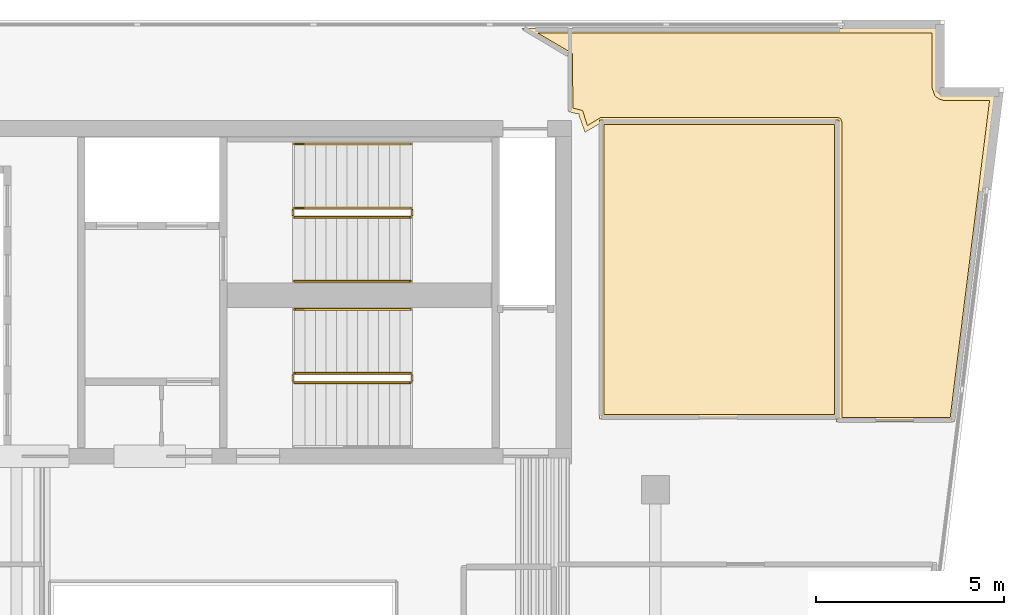
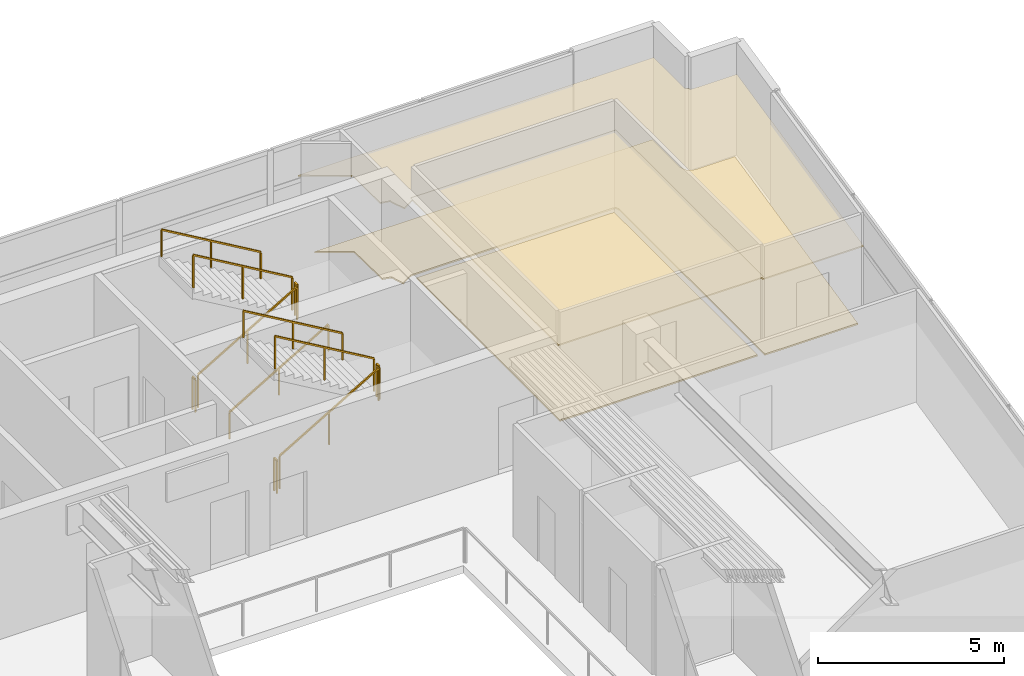
# One storey, part 7 of 7: 11 railings, 4 coverings.
"""IFC4 building model written with IfcOpenShell, lengths in metres."""

from ifc_helpers import new_model, si_unit, direction, frame, origin, origin_2d, place, context, subcontext, project, spatial, polyline, rectangle, outline, extrude, material, layer, layer_set, type_object, element, save


model = new_model("IFC4")

# Units and contexts
model_context = context("Model", 3, precision=1e-05, world=origin(), true_north=direction((0.0, 1.0)))
body_context = subcontext(model_context, "Body", "Model", "MODEL_VIEW")
ifc_project = project(units=[si_unit("LENGTHUNIT", "METRE"), si_unit("AREAUNIT", "SQUARE_METRE"), si_unit("VOLUMEUNIT", "CUBIC_METRE"), si_unit("PLANEANGLEUNIT", "RADIAN"), si_unit("MASSUNIT", "GRAM", prefix="KILO")], contexts=[model_context])

# Site, building, storey
site_placement = place(None, origin())
site = spatial("IfcSite", under=ifc_project, at=site_placement, CompositionType="ELEMENT")
building_placement = place(site_placement, origin())
building = spatial("IfcBuilding", under=site, at=building_placement, Name="Caeloran Harvest Quay", CompositionType="ELEMENT")
storey_placement = place(building_placement, frame((0.0, 0.0, 264.60009765625)))
storey = spatial("IfcBuildingStorey", under=building, at=storey_placement, Name="L63", CompositionType="ELEMENT", Elevation=264.60009765625)

# Coverings
ifc_material_1 = material(Name="Perforated Mineral-Fibre Acoustic Ceiling Tile", Category="ceiling")
ifc_layer_1 = layer(ifc_material_1, 0.0400390625, Name="Perforated Mineral-Fibre Acoustic Ceiling Tile")
ifc_layer_set_1 = layer_set([ifc_layer_1], Name="Perforated Mineral-Fibre Acoustic Ceiling Tile")
covering_type_1 = type_object("IfcCoveringType", Name="COV-CEILING-ACOUSTIC", PredefinedType="CEILING", material=ifc_layer_set_1)
covering_1_placement = place(storey_placement, frame((0.0, 0.0, 2.599853515625)))
element("IfcCovering", 1, at=covering_1_placement, inside=storey, type_object=covering_type_1, Name="L63 Bioinformatics and Crop Phenotyping Laboratory Acoustic Ceiling", PredefinedType="CEILING", context=body_context, shape_type="SweptSolid", body=[
    extrude(outline(polyline([(30.389892578125, 40.840087890625), (30.389892578125, 32.8798828125), (24.010009765625, 32.8798828125), (24.010009765625, 40.840087890625), (30.389892578125, 40.840087890625)])), origin(), (0.0, 0.0, 1.0), 0.0400390625),
])
covering_2_placement = place(storey_placement, frame((0.0, 0.0, 2.599853515625)))
element("IfcCovering", 2, at=covering_2_placement, inside=storey, type_object=covering_type_1, Name="Private Dining Kitchen Acoustic Ceiling", PredefinedType="CEILING", context=body_context, shape_type="SweptSolid", body=[
    extrude(outline(polyline([(23.18994140625, 42.5400390625), (23.158203125, 42.5400390625), (21.923583984375, 43.280029296875), (32.97998046875, 43.280029296875), (32.97998046875, 41.700927734375), (32.989501953125, 41.63623046875), (33.030029296875, 41.560546875), (33.09619140625, 41.506103515625), (33.178466796875, 41.481201171875), (34.527587890625, 41.47998046875), (33.451416015625, 32.81005859375), (30.320068359375, 32.81005859375), (30.320068359375, 32.919921875), (30.340087890625, 32.927001953125), (30.340087890625, 40.7900390625), (24.06005859375, 40.7900390625), (24.06005859375, 40.77099609375), (23.62939453125, 40.512939453125), (23.469970703125, 40.958740234375), (23.469970703125, 41.010009765625), (23.396240234375, 41.010009765625), (23.18994140625, 41.061767578125), (23.18994140625, 42.5400390625)])), origin(), (0.0, 0.0, 1.0), 0.0400390625),
])
ifc_material_2 = material(Name="Calcium-Sulphate Raised Access Floor and Terrazzo Finish", Category="flooring")
ifc_layer_2 = layer(ifc_material_2, 0.050048828125, Name="Calcium-Sulphate Raised Access Floor and Terrazzo Finish")
ifc_layer_set_2 = layer_set([ifc_layer_2], Name="Calcium-Sulphate Raised Access Floor and Terrazzo Finish")
covering_type_2 = type_object("IfcCoveringType", Name="COV-FLOOR-RAISED", PredefinedType="FLOORING", material=ifc_layer_set_2)
covering_3_placement = place(storey_placement, origin())
element("IfcCovering", 3, at=covering_3_placement, inside=storey, type_object=covering_type_2, Name="L63 Bioinformatics and Crop Phenotyping Laboratory Raised Finish Flooring", PredefinedType="FLOORING", context=body_context, shape_type="SweptSolid", body=[
    extrude(outline(polyline([(30.27001953125, 40.719970703125), (30.27001953125, 33.0), (24.1298828125, 33.0), (24.1298828125, 40.719970703125), (30.27001953125, 40.719970703125)])), origin(), (0.0, 0.0, 1.0), 0.0498046875),
])
covering_4_placement = place(storey_placement, origin())
element("IfcCovering", 4, at=covering_4_placement, inside=storey, type_object=covering_type_2, Name="Private Dining Kitchen Raised Finish Flooring", PredefinedType="FLOORING", context=body_context, shape_type="SweptSolid", body=[
    extrude(outline(polyline([(24.050048828125, 40.909912109375), (23.693115234375, 40.691162109375), (23.5625, 41.0927734375), (23.31005859375, 41.1552734375), (23.289306640625, 42.6142578125), (22.357421875, 43.159912109375), (32.860107421875, 43.159912109375), (32.860107421875, 41.696044921875), (32.939697265625, 41.481201171875), (33.043212890625, 41.3984375), (33.170654296875, 41.361328125), (34.391845703125, 41.360107421875), (33.34521484375, 32.929931640625), (30.4599609375, 32.929931640625), (30.4599609375, 40.800048828125), (30.4228515625, 40.882568359375), (30.35009765625, 40.909912109375), (24.050048828125, 40.909912109375)])), origin(), (0.0, 0.0, 1.0), 0.0498046875),
])

# Railings
ifc_material_3 = material(Name="Painted Steel Baluster and Top-Rail Stair Guard", Category="steel")
ifc_layer_3 = layer(ifc_material_3, 0.050048828125, Name="Painted Steel Baluster and Top-Rail Stair Guard")
ifc_layer_set_3 = layer_set([ifc_layer_3], Name="Painted Steel Baluster and Top-Rail Stair Guard")
railing_type_1 = type_object("IfcRailingType", Name="STAIR-GUARD-1100", PredefinedType="GUARDRAIL", material=ifc_layer_set_3)
railing_1_placement = place(storey_placement, frame((15.89990234375, 38.25, 0.16455078125)))
element("IfcRailing", 5, at=railing_1_placement, inside=storey, type_object=railing_type_1, Name="L63 ST-C1 stair guard 1", PredefinedType="GUARDRAIL", context=body_context, shape_type="SweptSolid", body=[
    extrude(rectangle(XDim=0.048095703125, YDim=0.048095703125, at=origin_2d()), frame((0.0, 0.0, 1.076171875), z_axis=(0.862118610829, 0.0, 0.506706523406), x_axis=(0.0, 1.0, 0.0)), (0.0, 0.0, 1.0), 3.57275390625),
    extrude(rectangle(XDim=0.0419921875, YDim=0.0419921875, at=origin_2d()), origin(), (0.0, 0.0, 1.0), 1.052001953125),
    extrude(rectangle(XDim=0.0419921875, YDim=0.0419921875, at=origin_2d()), frame((1.5400390625, 0.0, 0.9052734375)), (0.0, 0.0, 1.0), 1.052001953125),
    extrude(rectangle(XDim=0.0419921875, YDim=0.0419921875, at=origin_2d()), frame((3.080078125, 0.0, 1.810302734375)), (0.0, 0.0, 1.0), 1.052001953125),
])
railing_2_placement = place(storey_placement, frame((19.030029296875, 38.300048828125, 1.974853515625)))
element("IfcRailing", 6, at=railing_2_placement, inside=storey, type_object=railing_type_1, Name="L63 ST-C1 stair guard 2", PredefinedType="GUARDRAIL", context=body_context, shape_type="SweptSolid", body=[
    extrude(rectangle(XDim=0.048095703125, YDim=0.048095703125, at=origin_2d()), frame((0.0, 0.0, 1.076171875), z_axis=(0.0, 1.0, 0.0), x_axis=(-1.0, 0.0, 0.0)), (0.0, 0.0, 1.0), 0.14990234375),
    extrude(rectangle(XDim=0.0419921875, YDim=0.0419921875, at=origin_2d()), origin(), (0.0, 0.0, 1.0), 1.052001953125),
    extrude(rectangle(XDim=0.0419921875, YDim=0.0419921875, at=origin_2d()), frame((0.0, 0.14990234375, 0.0)), (0.0, 0.0, 1.0), 1.052001953125),
])
railing_3_placement = place(storey_placement, frame((18.97998046875, 38.5, 2.139404296875)))
element("IfcRailing", 7, at=railing_3_placement, inside=storey, type_object=railing_type_1, Name="L63 ST-C1 stair guard 3", PredefinedType="GUARDRAIL", context=body_context, shape_type="SweptSolid", body=[
    extrude(rectangle(XDim=0.048095703125, YDim=0.048095703125, at=origin_2d()), frame((0.0, 0.0, 1.076171875), z_axis=(-0.862088758681, 0.0, 0.506757310905), x_axis=(0.0, -1.0, 0.0)), (0.0, 0.0, 1.0), 3.57275390625),
    extrude(rectangle(XDim=0.0419921875, YDim=0.0419921875, at=origin_2d()), origin(), (0.0, 0.0, 1.0), 1.052001953125),
    extrude(rectangle(XDim=0.0419921875, YDim=0.0419921875, at=origin_2d()), frame((-1.5400390625, 0.0, 0.9052734375)), (0.0, 0.0, 1.0), 1.052001953125),
    extrude(rectangle(XDim=0.0419921875, YDim=0.0419921875, at=origin_2d()), frame((-3.080078125, 0.0, 1.810546875)), (0.0, 0.0, 1.0), 1.052001953125),
])
railing_4_placement = place(storey_placement, frame((15.85009765625, 38.300048828125, 0.0)))
element("IfcRailing", 8, at=railing_4_placement, inside=storey, type_object=railing_type_1, Name="L63 ST-C1 stair guard 4", PredefinedType="GUARDRAIL", context=body_context, shape_type="SweptSolid", body=[
    extrude(rectangle(XDim=0.048095703125, YDim=0.048095703125, at=origin_2d()), frame((0.0, 0.0, 1.076171875), z_axis=(0.0, 1.0, 0.0), x_axis=(-1.0, 0.0, 0.0)), (0.0, 0.0, 1.0), 0.14990234375),
    extrude(rectangle(XDim=0.0419921875, YDim=0.0419921875, at=origin_2d()), origin(), (0.0, 0.0, 1.0), 1.052001953125),
    extrude(rectangle(XDim=0.0419921875, YDim=0.0419921875, at=origin_2d()), frame((0.0, 0.14990234375, 0.0)), (0.0, 0.0, 1.0), 1.052001953125),
])
railing_5_placement = place(storey_placement, frame((15.89990234375, 33.85009765625, 0.16455078125)))
element("IfcRailing", 9, at=railing_5_placement, inside=storey, type_object=railing_type_1, Name="L63 ST-C2 stair guard 1", PredefinedType="GUARDRAIL", context=body_context, shape_type="SweptSolid", body=[
    extrude(rectangle(XDim=0.048095703125, YDim=0.048095703125, at=origin_2d()), frame((0.0, 0.0, 1.076171875), z_axis=(0.862118610829, 0.0, 0.506706523406), x_axis=(0.0, 1.0, 0.0)), (0.0, 0.0, 1.0), 3.57275390625),
    extrude(rectangle(XDim=0.0419921875, YDim=0.0419921875, at=origin_2d()), origin(), (0.0, 0.0, 1.0), 1.052001953125),
    extrude(rectangle(XDim=0.0419921875, YDim=0.0419921875, at=origin_2d()), frame((1.5400390625, 0.0, 0.9052734375)), (0.0, 0.0, 1.0), 1.052001953125),
    extrude(rectangle(XDim=0.0419921875, YDim=0.0419921875, at=origin_2d()), frame((3.080078125, 0.0, 1.810302734375)), (0.0, 0.0, 1.0), 1.052001953125),
])
railing_6_placement = place(storey_placement, frame((19.030029296875, 33.89990234375, 1.974853515625)))
element("IfcRailing", 10, at=railing_6_placement, inside=storey, type_object=railing_type_1, Name="L63 ST-C2 stair guard 2", PredefinedType="GUARDRAIL", context=body_context, shape_type="SweptSolid", body=[
    extrude(rectangle(XDim=0.048095703125, YDim=0.048095703125, at=origin_2d()), frame((0.0, 0.0, 1.076171875), z_axis=(0.0, 1.0, 0.0), x_axis=(-1.0, 0.0, 0.0)), (0.0, 0.0, 1.0), 0.150146484375),
    extrude(rectangle(XDim=0.0419921875, YDim=0.0419921875, at=origin_2d()), origin(), (0.0, 0.0, 1.0), 1.052001953125),
    extrude(rectangle(XDim=0.0419921875, YDim=0.0419921875, at=origin_2d()), frame((0.0, 0.150146484375, 0.0)), (0.0, 0.0, 1.0), 1.052001953125),
])
railing_7_placement = place(storey_placement, frame((18.97998046875, 34.10009765625, 2.139404296875)))
element("IfcRailing", 11, at=railing_7_placement, inside=storey, type_object=railing_type_1, Name="L63 ST-C2 stair guard 3", PredefinedType="GUARDRAIL", context=body_context, shape_type="SweptSolid", body=[
    extrude(rectangle(XDim=0.048095703125, YDim=0.048095703125, at=origin_2d()), frame((0.0, 0.0, 1.076171875), z_axis=(-0.862088758681, 0.0, 0.506757310905), x_axis=(0.0, -1.0, 0.0)), (0.0, 0.0, 1.0), 3.57275390625),
    extrude(rectangle(XDim=0.0419921875, YDim=0.0419921875, at=origin_2d()), origin(), (0.0, 0.0, 1.0), 1.052001953125),
    extrude(rectangle(XDim=0.0419921875, YDim=0.0419921875, at=origin_2d()), frame((-1.5400390625, 0.0, 0.9052734375)), (0.0, 0.0, 1.0), 1.052001953125),
    extrude(rectangle(XDim=0.0419921875, YDim=0.0419921875, at=origin_2d()), frame((-3.080078125, 0.0, 1.810546875)), (0.0, 0.0, 1.0), 1.052001953125),
])
railing_8_placement = place(storey_placement, frame((15.85009765625, 33.89990234375, 0.0)))
element("IfcRailing", 12, at=railing_8_placement, inside=storey, type_object=railing_type_1, Name="L63 ST-C2 stair guard 4", PredefinedType="GUARDRAIL", context=body_context, shape_type="SweptSolid", body=[
    extrude(rectangle(XDim=0.048095703125, YDim=0.048095703125, at=origin_2d()), frame((0.0, 0.0, 1.076171875), z_axis=(0.0, 1.0, 0.0), x_axis=(-1.0, 0.0, 0.0)), (0.0, 0.0, 1.0), 0.150146484375),
    extrude(rectangle(XDim=0.0419921875, YDim=0.0419921875, at=origin_2d()), origin(), (0.0, 0.0, 1.0), 1.052001953125),
    extrude(rectangle(XDim=0.0419921875, YDim=0.0419921875, at=origin_2d()), frame((0.0, 0.150146484375, 0.0)), (0.0, 0.0, 1.0), 1.052001953125),
])
ifc_material_4 = material(Name="Brushed Stainless Steel Grade 304", Category="steel")
ifc_layer_4 = layer(ifc_material_4, 0.050048828125, Name="Brushed Stainless Steel Grade 304")
ifc_layer_set_4 = layer_set([ifc_layer_4], Name="Brushed Stainless Steel Grade 304")
railing_type_2 = type_object("IfcRailingType", Name="STAIR-HANDRAIL-900", PredefinedType="HANDRAIL", material=ifc_layer_set_4)
railing_9_placement = place(storey_placement, frame((15.89990234375, 36.550048828125, 0.16455078125)))
element("IfcRailing", 13, at=railing_9_placement, inside=storey, type_object=railing_type_2, Name="L63 ST-C1 stair handrail 1", PredefinedType="HANDRAIL", context=body_context, shape_type="SweptSolid", body=[
    extrude(rectangle(XDim=0.048095703125, YDim=0.048095703125, at=origin_2d()), frame((0.0, 0.0, 0.8759765625), z_axis=(0.862118610829, 0.0, 0.506706523406), x_axis=(0.0, 1.0, 0.0)), (0.0, 0.0, 1.0), 3.57275390625),
    extrude(rectangle(XDim=0.0419921875, YDim=0.0419921875, at=origin_2d()), origin(), (0.0, 0.0, 1.0), 0.851806640625),
    extrude(rectangle(XDim=0.0419921875, YDim=0.0419921875, at=origin_2d()), frame((1.5400390625, 0.0, 0.9052734375)), (0.0, 0.0, 1.0), 0.851806640625),
    extrude(rectangle(XDim=0.0419921875, YDim=0.0419921875, at=origin_2d()), frame((3.080078125, 0.0, 1.810302734375)), (0.0, 0.0, 1.0), 0.851806640625),
])
for number, where, name in (
    (14, (18.97998046875, 40.199951171875, 2.139404296875), "L63 ST-C1 stair handrail 2"),
    (15, (18.97998046875, 35.800048828125, 2.139404296875), "L63 ST-C2 stair handrail 2"),
):
    element("IfcRailing", number, at=place(storey_placement, frame(where)), inside=storey, type_object=railing_type_2, Name=name, PredefinedType="HANDRAIL", context=body_context, shape_type="SweptSolid", body=[
        extrude(rectangle(XDim=0.048095703125, YDim=0.048095703125, at=origin_2d()), frame((0.0, 0.0, 0.8759765625), z_axis=(-0.862088758681, 0.0, 0.506757310905), x_axis=(0.0, -1.0, 0.0)), (0.0, 0.0, 1.0), 3.57275390625),
        extrude(rectangle(XDim=0.0419921875, YDim=0.0419921875, at=origin_2d()), origin(), (0.0, 0.0, 1.0), 0.851806640625),
        extrude(rectangle(XDim=0.0419921875, YDim=0.0419921875, at=origin_2d()), frame((-1.5400390625, 0.0, 0.9052734375)), (0.0, 0.0, 1.0), 0.851806640625),
        extrude(rectangle(XDim=0.0419921875, YDim=0.0419921875, at=origin_2d()), frame((-3.080078125, 0.0, 1.810546875)), (0.0, 0.0, 1.0), 0.851806640625),
    ])

save(model, "model.ifc")
